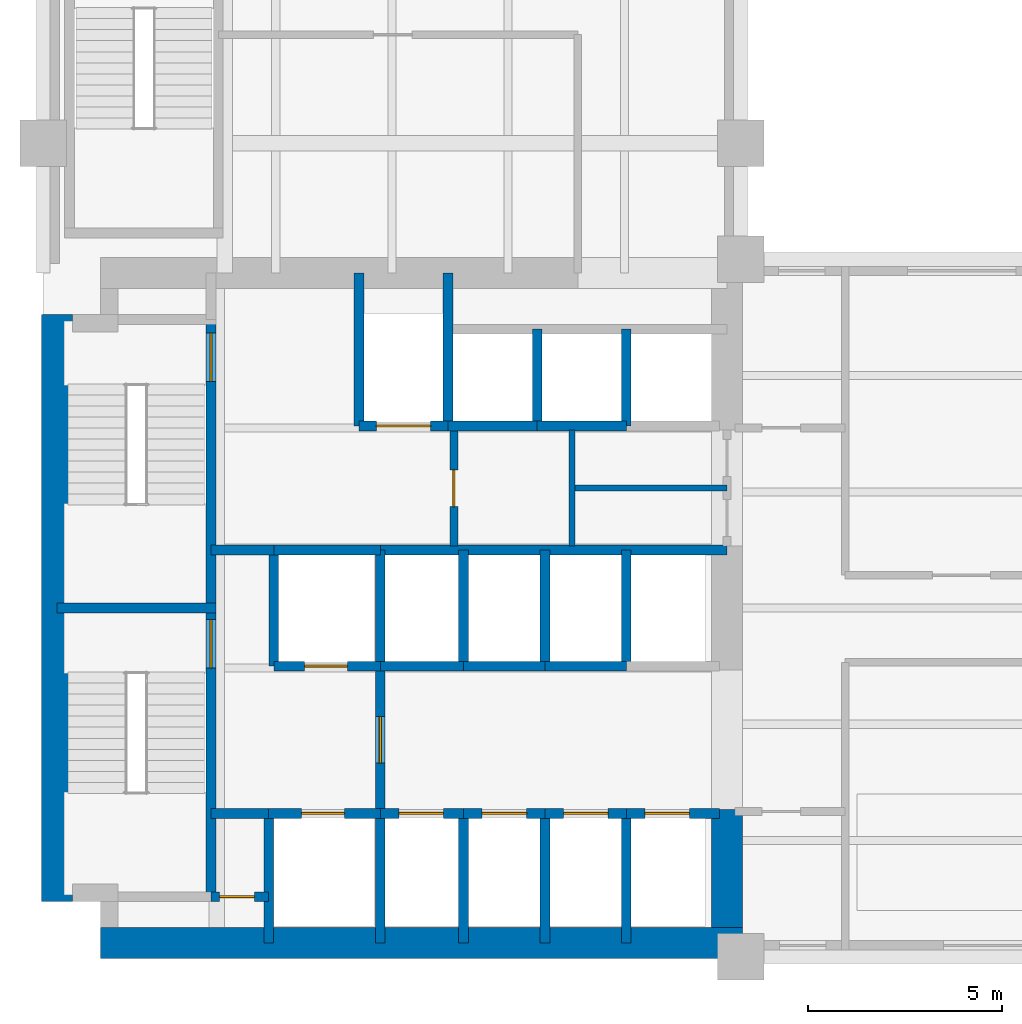
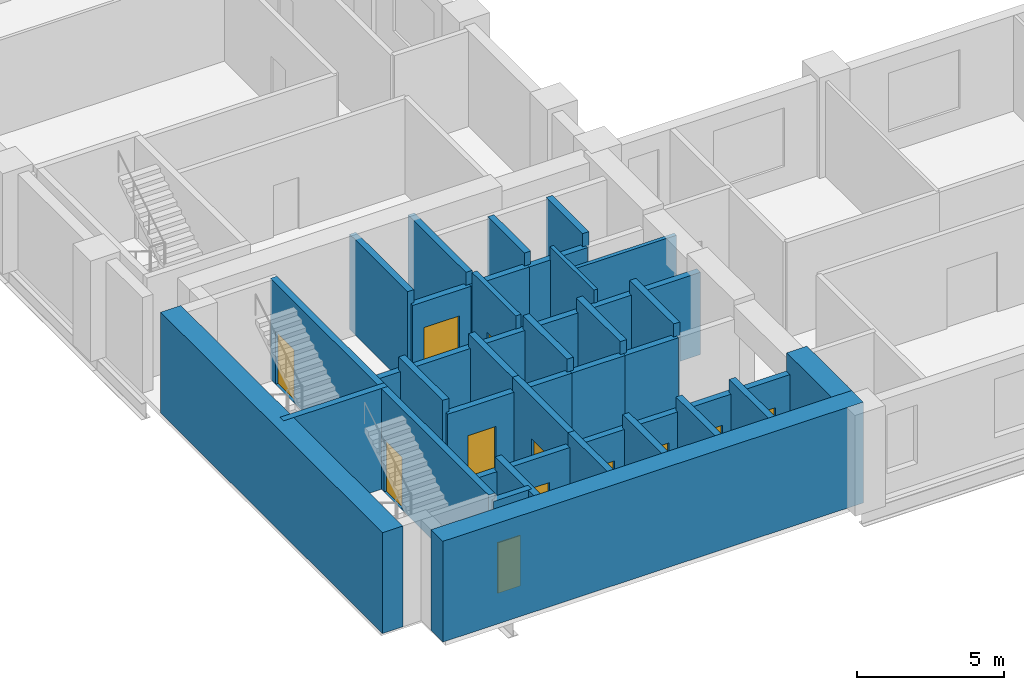
# One storey, part 3 of 7: 41 walls, 12 doors, 12 openings.
"""IFC4 building model written with IfcOpenShell, lengths in metres."""

import ifcopenshell
import ifcopenshell.guid

model = None  # the IFC model being written
_history = None  # IfcOwnerHistory: only IFC2X3 demands one
_inside = {}  # id of a spatial element -> (the spatial element, [elements in it])
_under = {}  # id of a project, library or spatial element -> (it, [spatial elements below it])
_declared = {}  # id of a project -> (the project, [libraries it declares])
_typed = {}  # id of a type object -> (the type object, [elements of that type])
_made_of = {}  # id of a material, layer set ... -> (it, [elements and type objects made of it])


def new_model(schema):
    """Start an empty IFC model of exactly this schema.

    Asked for "IFC4X3", IfcOpenShell would pick the latest addendum, in which some entities
    have other attributes; the version numbers below select the first issue.
    IFC2X3 requires an IfcOwnerHistory on every rooted entity: one is made here for all.
    """
    global model, _history
    if schema == "IFC4X3":
        model = ifcopenshell.file(schema_version=(4, 3, 0, 0))
    else:
        model = ifcopenshell.file(schema=schema)
    _inside.clear()
    _under.clear()
    _declared.clear()
    _typed.clear()
    _made_of.clear()
    _history = None
    if model.schema == "IFC2X3":
        org = make("IfcOrganization", Name="unknown")
        user = make(
            "IfcPersonAndOrganization",
            ThePerson=make("IfcPerson", FamilyName="unknown"),
            TheOrganization=org,
        )
        app = make(
            "IfcApplication",
            ApplicationDeveloper=org,
            Version="unknown",
            ApplicationFullName="unknown",
            ApplicationIdentifier="unknown",
        )
        _history = make(
            "IfcOwnerHistory",
            OwningUser=user,
            OwningApplication=app,
            ChangeAction="ADDED",
            CreationDate=0,
        )
    return model


def make(cls, **values):
    """One entity of the class cls with the attributes given. An attribute that is None is left unset."""
    return model.create_entity(
        cls, **{name: value for name, value in values.items() if value is not None}
    )


def rooted(cls, **values):
    """An entity with a GlobalId (a new one), such as an element, a storey or a relation."""
    return make(cls, GlobalId=ifcopenshell.guid.new(), OwnerHistory=_history, **values)


def si_unit(unit_type, name, prefix=None):
    """IfcSIUnit, for example si_unit("LENGTHUNIT", "METRE", prefix="MILLI")."""
    return make("IfcSIUnit", UnitType=unit_type, Prefix=prefix, Name=name)


def assignment(units):
    """IfcUnitAssignment: the units of a project."""
    return None if units is None else make("IfcUnitAssignment", Units=units)


def point(xyz):
    """IfcCartesianPoint."""
    return None if xyz is None else make("IfcCartesianPoint", Coordinates=xyz)


def direction(xyz):
    """IfcDirection."""
    return None if xyz is None else make("IfcDirection", DirectionRatios=xyz)


def frame(location, z_axis=None, x_axis=None):
    """IfcAxis2Placement3D, a coordinate frame: its origin and axes. An axis left out is left unset."""
    return make(
        "IfcAxis2Placement3D",
        Location=point(location),
        Axis=direction(z_axis),
        RefDirection=direction(x_axis),
    )


def frame_2d(location, x_axis=None):
    """IfcAxis2Placement2D, a coordinate frame in the plane: its origin and x axis."""
    return make(
        "IfcAxis2Placement2D", Location=point(location), RefDirection=direction(x_axis)
    )


def origin():
    """The frame at (0, 0, 0) with its axes left unset."""
    return frame((0.0, 0.0, 0.0))


def place(relative_to, where):
    """IfcLocalPlacement: puts the frame where relative to a parent placement (None: the world)."""
    return make(
        "IfcLocalPlacement", PlacementRelTo=relative_to, RelativePlacement=where
    )


def context(
    kind, dimensions, precision=None, world=None, true_north=None, identifier=None
):
    """IfcGeometricRepresentationContext, for example the 3D "Model" context."""
    return make(
        "IfcGeometricRepresentationContext",
        ContextIdentifier=identifier,
        ContextType=kind,
        CoordinateSpaceDimension=dimensions,
        Precision=precision,
        WorldCoordinateSystem=world,
        TrueNorth=true_north,
    )


def subcontext(parent, identifier, kind, view, scale=None):
    """IfcGeometricRepresentationSubContext, for example "Body" below "Model"."""
    return make(
        "IfcGeometricRepresentationSubContext",
        ContextIdentifier=identifier,
        ContextType=kind,
        ParentContext=parent,
        TargetScale=scale,
        TargetView=view,
    )


def project(units=None, contexts=None):
    """IfcProject with its units and contexts."""
    return rooted(
        "IfcProject",
        Name="project",
        RepresentationContexts=contexts,
        UnitsInContext=assignment(units),
    )


def spatial(cls, under=None, at=None, **own):
    """A site, building, storey or space (cls), placed at a placement, below another one or the project."""
    s = rooted(cls, ObjectPlacement=at, **own)
    if under is not None:
        _under.setdefault(under.id(), (under, []))[1].append(s)
    return s


def profile(cls, at=None, kind="AREA", **sizes):
    """A parametric profile (cls). Its sizes go by their IFC names, for example OverallWidth=200.0."""
    return make(cls, ProfileType=kind, Position=at, **sizes)


def rectangle(**sizes):
    """IfcRectangleProfileDef."""
    return profile("IfcRectangleProfileDef", **sizes)


def extrude(swept, where, along, depth):
    """IfcExtrudedAreaSolid: the profile swept, set in the frame where, extruded along a direction by depth."""
    return make(
        "IfcExtrudedAreaSolid",
        SweptArea=swept,
        Position=where,
        ExtrudedDirection=direction(along),
        Depth=depth,
    )


def shape(context_of_items, identifier, shape_type, items):
    """IfcShapeRepresentation: the items that make up one representation, for example the "Body"."""
    return make(
        "IfcShapeRepresentation",
        ContextOfItems=context_of_items,
        RepresentationIdentifier=identifier,
        RepresentationType=shape_type,
        Items=items,
    )


def material(Name=None, Category=None):
    """IfcMaterial."""
    return make("IfcMaterial", Name=Name, Category=Category)


def layer(
    of_material, thickness, ventilated=None, Name=None, Category=None, Priority=None
):
    """IfcMaterialLayer: one layer of a wall or slab, of a material (None: an air gap)."""
    return make(
        "IfcMaterialLayer",
        Material=of_material,
        LayerThickness=thickness,
        IsVentilated=ventilated,
        Name=Name,
        Category=Category,
        Priority=Priority,
    )


def layer_set(layers, Name=None):
    """IfcMaterialLayerSet."""
    return make("IfcMaterialLayerSet", MaterialLayers=layers, LayerSetName=Name)


def made_of(thing, what):
    """Note that an element or type object is made of a material, layer set ...; save() writes the relation."""
    if what is not None:
        _made_of.setdefault(what.id(), (what, []))[1].append(thing)
    return thing


def type_object(cls, material=None, **own):
    """A type object (cls), such as IfcWallType, which elements share."""
    return made_of(rooted(cls, **own), material)


def element(
    cls,
    number,
    at=None,
    inside=None,
    cuts=None,
    type_object=None,
    material=None,
    context=None,
    identifier="Body",
    shape_type=None,
    held_by="IfcProductDefinitionShape",
    body=None,
    shapes=None,
    **own,
):
    """One element of the class cls, such as IfcWall. Its Tag is "e" and its number.

    at: its placement. inside: the storey or other place that contains it. cuts: it is an
    opening in that element (IfcRelVoidsElement). A single representation is given by context,
    identifier, shape_type and body (its items); several are given by shapes. held_by: the class
    of the entity that holds the representations. save() writes the other relations.
    """
    e = rooted(cls, Tag="e%d" % number, ObjectPlacement=at, **own)
    if body is not None:
        shapes = [shape(context, identifier, shape_type, body)]
    if shapes is not None:
        e.Representation = make(held_by, Representations=shapes)
    if inside is not None:
        _inside.setdefault(inside.id(), (inside, []))[1].append(e)
    if cuts is not None:
        rooted(
            "IfcRelVoidsElement", RelatingBuildingElement=cuts, RelatedOpeningElement=e
        )
    if type_object is not None:
        _typed.setdefault(type_object.id(), (type_object, []))[1].append(e)
    return made_of(e, material)


def fill(opening, filler):
    """IfcRelFillsElement: the door or window that sits in an opening."""
    return rooted(
        "IfcRelFillsElement",
        RelatingOpeningElement=opening,
        RelatedBuildingElement=filler,
    )


def aggregate(whole, parts):
    """IfcRelAggregates: a whole, such as a stair, and the parts it consists of."""
    return rooted("IfcRelAggregates", RelatingObject=whole, RelatedObjects=parts)


def save(model, path):
    """Write the relations noted so far, then the file.

    IfcRelAggregates (storeys below a building ...), IfcRelContainedInSpatialStructure (elements
    in a storey), IfcRelDefinesByType, IfcRelAssociatesMaterial and IfcRelDeclares: one each for
    every whole, place, type object, material and project.
    """
    for whole, parts in _under.values():
        aggregate(whole, parts)
    for where, things in _inside.values():
        rooted(
            "IfcRelContainedInSpatialStructure",
            RelatedElements=things,
            RelatingStructure=where,
        )
    for kind, things in _typed.values():
        rooted("IfcRelDefinesByType", RelatedObjects=things, RelatingType=kind)
    for what, things in _made_of.values():
        rooted("IfcRelAssociatesMaterial", RelatedObjects=things, RelatingMaterial=what)
    for by, libraries in _declared.values():
        rooted("IfcRelDeclares", RelatingContext=by, RelatedDefinitions=libraries)
    model.write(path)


model = new_model("IFC4")

# Units and contexts
model_context = context("Model", 3, precision=1e-05, world=origin(), true_north=direction((0.0, 1.0)))
body_context = subcontext(model_context, "Body", "Model", "MODEL_VIEW")
ifc_project = project(units=[si_unit("LENGTHUNIT", "METRE"), si_unit("AREAUNIT", "SQUARE_METRE"), si_unit("VOLUMEUNIT", "CUBIC_METRE"), si_unit("PLANEANGLEUNIT", "RADIAN"), si_unit("MASSUNIT", "GRAM", prefix="KILO")], contexts=[model_context])

# Site, building, storey
site_placement = place(None, origin())
site = spatial("IfcSite", under=ifc_project, at=site_placement, CompositionType="ELEMENT")
building_placement = place(site_placement, origin())
building = spatial("IfcBuilding", under=site, at=building_placement, Name="Mawjdan Bourse Tower", CompositionType="ELEMENT")
storey_placement = place(building_placement, frame((0.0, 0.0, 55.199951171875)))
storey = spatial("IfcBuildingStorey", under=building, at=storey_placement, Name="L12", CompositionType="ELEMENT", Elevation=55.199951171875)

# Wall, opening, door
ifc_material_1 = material(Name="Gypsum Fireboard Assembly")
ifc_layer_1 = layer(ifc_material_1, 0.199951171875)
ifc_layer_set_1 = layer_set([ifc_layer_1], Name="Gypsum Fireboard Assembly")
wall_type_1 = type_object("IfcWallType", Name="WL-CMP-200", PredefinedType="PARTITIONING", material=ifc_layer_set_1)
wall_1_placement = place(storey_placement, frame((16.60009765625, 13.60009765625, 0.0), z_axis=(0.0, 0.0, 1.0), x_axis=(0.0, 1.0, 0.0)))
wall_1 = element("IfcWall", 1, at=wall_1_placement, inside=storey, type_object=wall_type_1, Name="L12 Core Restroom West Wall", PredefinedType="PARTITIONING", context=body_context, shape_type="SweptSolid", body=[
    extrude(rectangle(XDim=3.0, YDim=0.199951171875, at=frame_2d((1.5, 0.0))), origin(), (0.0, 0.0, 1.0), 3.969970703125),
])
opening_1_placement = place(wall_1_placement, frame((1.02001953125, 0.0, 0.0)))
opening_1 = element("IfcOpeningElement", 2, at=opening_1_placement, cuts=wall_1, Name="Opening D-L12-14", PredefinedType="OPENING", context=body_context, shape_type="SweptSolid", body=[
    extrude(rectangle(XDim=0.949951171875, YDim=2.10009765625, at=frame_2d((0.47509765625, 1.050048828125))), frame((0.0, 0.10986328125, 0.0), z_axis=(0.0, -1.0, 0.0), x_axis=(1.0, 0.0, 0.0)), (0.0, 0.0, 1.0), 0.219970703125),
])
ifc_material_2 = material(Name="Moisture-Resistant Laminate Timber", Category="wood")
door_type_1 = type_object("IfcDoorType", Name="DR-WET-0950", OperationType="NOTDEFINED", PredefinedType="DOOR", material=ifc_material_2)
door_1_placement = place(opening_1_placement, origin())
door_1 = element("IfcDoor", 3, at=door_1_placement, inside=storey, type_object=door_type_1, Name="L12 Male Restroom Entry Door D-L12-14", OperationType="SINGLE_SWING_LEFT", OverallHeight=2.10009765625, OverallWidth=0.949951171875, PredefinedType="DOOR", context=body_context, shape_type="SweptSolid", body=[
    extrude(rectangle(XDim=0.949951171875, YDim=2.10009765625, at=frame_2d((0.47509765625, 1.050048828125))), frame((0.0, 0.02490234375, 0.0), z_axis=(0.0, -1.0, 0.0), x_axis=(1.0, 0.0, 0.0)), (0.0, 0.0, 1.0), 0.050048828125),
])
fill(opening_1, door_1)

# Walls
ifc_material_3 = material(Name="Concrete C80/95", Category="concrete")
ifc_layer_2 = layer(ifc_material_3, 0.800048828125)
ifc_layer_set_2 = layer_set([ifc_layer_2], Name="Concrete C80/95")
wall_type_2 = type_object("IfcWallType", Name="WL-CORE-800", PredefinedType="SHEAR", material=ifc_layer_set_2)
wall_2_placement = place(storey_placement, frame((7.47509765625, 3.35009765625, 0.0), z_axis=(0.0, 0.0, 1.0), x_axis=(1.0, 0.0, 0.0)))
element("IfcWall", 4, at=wall_2_placement, inside=storey, type_object=wall_type_2, Name="L12 Rear Core Shear Wall S", PredefinedType="SHEAR", context=body_context, shape_type="SweptSolid", body=[
    extrude(rectangle(XDim=16.574951171875, YDim=0.800048828125, at=frame_2d((8.28759765625, 0.0))), origin(), (0.0, 0.0, 1.0), 4.199951171875),
])
wall_3_placement = place(storey_placement, frame((6.35009765625, 4.425048828125, 0.0), z_axis=(0.0, 0.0, 1.0), x_axis=(0.0, 1.0, 0.0)))
element("IfcWall", 5, at=wall_3_placement, inside=storey, type_object=wall_type_2, Name="L12 Rear Core Shear Wall W", PredefinedType="SHEAR", context=body_context, shape_type="SweptSolid", body=[
    extrude(rectangle(XDim=15.14990234375, YDim=0.800048828125, at=frame_2d((7.574951171875, 0.0))), origin(), (0.0, 0.0, 1.0), 4.199951171875),
])
wall_4_placement = place(storey_placement, frame((23.64990234375, 3.75, 0.0), z_axis=(0.0, 0.0, 1.0), x_axis=(0.0, 1.0, 0.0)))
element("IfcWall", 6, at=wall_4_placement, inside=storey, type_object=wall_type_2, Name="L12 Rear Core Shear Wall E1", PredefinedType="SHEAR", context=body_context, shape_type="SweptSolid", body=[
    extrude(rectangle(XDim=3.050048828125, YDim=0.800048828125, at=frame_2d((1.52490234375, 0.0))), origin(), (0.0, 0.0, 1.0), 4.199951171875),
])
ifc_material_4 = material(Name="Gypsum Acoustic Partition")
ifc_layer_3 = layer(ifc_material_4, 0.14990234375)
ifc_layer_set_3 = layer_set([ifc_layer_3], Name="Gypsum Acoustic Partition")
wall_type_3 = type_object("IfcWallType", Name="WL-PRT-150", PredefinedType="PARTITIONING", material=ifc_layer_set_3)
wall_5_placement = place(storey_placement, frame((19.64990234375, 13.60009765625, 0.0), z_axis=(0.0, 0.0, 1.0), x_axis=(0.0, 1.0, 0.0)))
element("IfcWall", 7, at=wall_5_placement, inside=storey, type_object=wall_type_3, Name="L12 Core Restroom Vertical Split", PredefinedType="PARTITIONING", context=body_context, shape_type="SweptSolid", body=[
    extrude(rectangle(XDim=3.0, YDim=0.14990234375, at=frame_2d((1.5, 0.0))), origin(), (0.0, 0.0, 1.0), 3.969970703125),
])
wall_6_placement = place(storey_placement, frame((19.64990234375, 15.10009765625, 0.0), z_axis=(0.0, 0.0, 1.0), x_axis=(1.0, 0.0, 0.0)))
element("IfcWall", 8, at=wall_6_placement, inside=storey, type_object=wall_type_3, Name="L12 Core Restroom East Horizontal Split", PredefinedType="PARTITIONING", context=body_context, shape_type="SweptSolid", body=[
    extrude(rectangle(XDim=4.0, YDim=0.14990234375, at=frame_2d((2.0, 0.0))), origin(), (0.0, 0.0, 1.0), 3.969970703125),
])

# Wall, opening, door
ifc_material_5 = material(Name="Concrete C50/60", Category="concrete")
ifc_layer_4 = layer(ifc_material_5, 0.25)
ifc_layer_set_4 = layer_set([ifc_layer_4], Name="Concrete C50/60")
wall_type_4 = type_object("IfcWallType", Name="WL-SHFT-250", PredefinedType="PARTITIONING", material=ifc_layer_set_4)
wall_7_placement = place(storey_placement, frame((10.330078125, 4.550048828125, 0.0), z_axis=(0.0, 0.0, 1.0), x_axis=(1.0, 0.0, 0.0)))
wall_7 = element("IfcWall", 9, at=wall_7_placement, inside=storey, type_object=wall_type_4, Name="L12 SW Riser North Wall", PredefinedType="PARTITIONING", context=body_context, shape_type="SweptSolid", body=[
    extrude(rectangle(XDim=1.489990234375, YDim=0.25, at=frame_2d((0.7451171875, 0.0))), origin(), (0.0, 0.0, 1.0), 3.969970703125),
])
opening_2_placement = place(wall_7_placement, frame((0.219970703125, 0.0, 0.0)))
opening_2 = element("IfcOpeningElement", 10, at=opening_2_placement, cuts=wall_7, Name="Opening RD-L12-03", PredefinedType="OPENING", context=body_context, shape_type="SweptSolid", body=[
    extrude(rectangle(XDim=0.89990234375, YDim=2.10009765625, at=frame_2d((0.449951171875, 1.050048828125))), frame((0.0, 0.135009765625, 0.0), z_axis=(0.0, -1.0, 0.0), x_axis=(1.0, 0.0, 0.0)), (0.0, 0.0, 1.0), 0.27001953125),
])
ifc_material_6 = material(Name="Fire-Rated Steel Access Leaf", Category="steel")
door_type_2 = type_object("IfcDoorType", Name="FD-RSR-0900", OperationType="NOTDEFINED", PredefinedType="TRAPDOOR", material=ifc_material_6)
door_2_placement = place(opening_2_placement, origin())
door_2 = element("IfcDoor", 11, at=door_2_placement, inside=storey, type_object=door_type_2, Name="L12 Electrical Riser Access Door RD-L12-03", OperationType="SINGLE_SWING_LEFT", OverallHeight=2.10009765625, OverallWidth=0.89990234375, PredefinedType="TRAPDOOR", context=body_context, shape_type="SweptSolid", body=[
    extrude(rectangle(XDim=0.89990234375, YDim=2.10009765625, at=frame_2d((0.449951171875, 1.050048828125))), frame((0.0, 0.02490234375, 0.0), z_axis=(0.0, -1.0, 0.0), x_axis=(1.0, 0.0, 0.0)), (0.0, 0.0, 1.0), 0.050048828125),
])
fill(opening_2, door_2)

# Wall
wall_8_placement = place(storey_placement, frame((11.820068359375, 3.35009765625, 0.0), z_axis=(0.0, 0.0, 1.0), x_axis=(0.0, 1.0, 0.0)))
element("IfcWall", 12, at=wall_8_placement, inside=storey, type_object=wall_type_4, Name="L12 SW Riser & FFL01 West Wall", PredefinedType="PARTITIONING", context=body_context, shape_type="SweptSolid", body=[
    extrude(rectangle(XDim=3.349853515625, YDim=0.25, at=frame_2d((1.6748046875, 0.0))), origin(), (0.0, 0.0, 1.0), 3.969970703125),
])

# Wall, opening, door
wall_9_placement = place(storey_placement, frame((11.820068359375, 6.699951171875, 0.0), z_axis=(0.0, 0.0, 1.0), x_axis=(1.0, 0.0, 0.0)))
wall_9 = element("IfcWall", 13, at=wall_9_placement, inside=storey, type_object=wall_type_4, Name="L12 FFL-01 Front Shaft Wall", PredefinedType="PARTITIONING", context=body_context, shape_type="SweptSolid", body=[
    extrude(rectangle(XDim=2.8798828125, YDim=0.25, at=frame_2d((1.43994140625, 0.0))), origin(), (0.0, 0.0, 1.0), 3.426025390625),
])
opening_3_placement = place(wall_9_placement, frame((0.85009765625, 0.0, 0.0)))
opening_3 = element("IfcOpeningElement", 14, at=opening_3_placement, cuts=wall_9, Name="Opening LD-L12-05", PredefinedType="OPENING", context=body_context, shape_type="SweptSolid", body=[
    extrude(rectangle(XDim=1.10009765625, YDim=2.25, at=frame_2d((0.550048828125, 1.125))), frame((0.0, 0.135009765625, 0.0), z_axis=(0.0, -1.0, 0.0), x_axis=(1.0, 0.0, 0.0)), (0.0, 0.0, 1.0), 0.27001953125),
])
ifc_material_7 = material(Name="Brushed Stainless Steel", Category="steel")
door_type_3 = type_object("IfcDoorType", Name="LD-FFL-1100", OperationType="DOUBLE_DOOR_SLIDING", PredefinedType="DOOR", material=ifc_material_7)
door_3_placement = place(opening_3_placement, origin())
door_3 = element("IfcDoor", 15, at=door_3_placement, inside=storey, type_object=door_type_3, Name="L12 Firefighting Lift FFL-01 Landing Door LD-L12-05", OperationType="DOUBLE_DOOR_SLIDING", OverallHeight=2.25, OverallWidth=1.10009765625, PredefinedType="DOOR", context=body_context, shape_type="SweptSolid", body=[
    extrude(rectangle(XDim=1.10009765625, YDim=2.25, at=frame_2d((0.550048828125, 1.125))), frame((0.0, 0.02490234375, 0.0), z_axis=(0.0, -1.0, 0.0), x_axis=(1.0, 0.0, 0.0)), (0.0, 0.0, 1.0), 0.050048828125),
])
fill(opening_3, door_3)

# Wall
wall_10_placement = place(storey_placement, frame((14.699951171875, 3.35009765625, 0.0), z_axis=(0.0, 0.0, 1.0), x_axis=(0.0, 1.0, 0.0)))
element("IfcWall", 16, at=wall_10_placement, inside=storey, type_object=wall_type_4, Name="L12 FFL-01 East Shaft Wall", PredefinedType="PARTITIONING", context=body_context, shape_type="SweptSolid", body=[
    extrude(rectangle(XDim=3.349853515625, YDim=0.25, at=frame_2d((1.6748046875, 0.0))), origin(), (0.0, 0.0, 1.0), 3.969970703125),
])

# Wall, opening, door
wall_11_placement = place(storey_placement, frame((11.949951171875, 10.5, 0.0), z_axis=(0.0, 0.0, 1.0), x_axis=(1.0, 0.0, 0.0)))
wall_11 = element("IfcWall", 17, at=wall_11_placement, inside=storey, type_object=wall_type_4, Name="L12 FFL-02 Front Shaft Wall", PredefinedType="PARTITIONING", context=body_context, shape_type="SweptSolid", body=[
    extrude(rectangle(XDim=2.75, YDim=0.25, at=frame_2d((1.375, 0.0))), origin(), (0.0, 0.0, 1.0), 3.426025390625),
])
opening_4_placement = place(wall_11_placement, frame((0.800048828125, 0.0, 0.0)))
opening_4 = element("IfcOpeningElement", 18, at=opening_4_placement, cuts=wall_11, Name="Opening LD-L12-06", PredefinedType="OPENING", context=body_context, shape_type="SweptSolid", body=[
    extrude(rectangle(XDim=1.10009765625, YDim=2.25, at=frame_2d((0.550048828125, 1.125))), frame((0.0, 0.135009765625, 0.0), z_axis=(0.0, -1.0, 0.0), x_axis=(1.0, 0.0, 0.0)), (0.0, 0.0, 1.0), 0.27001953125),
])
door_4_placement = place(opening_4_placement, origin())
door_4 = element("IfcDoor", 19, at=door_4_placement, inside=storey, type_object=door_type_3, Name="L12 Firefighting Lift FFL-02 Landing Door LD-L12-06", OperationType="DOUBLE_DOOR_SLIDING", OverallHeight=2.25, OverallWidth=1.10009765625, PredefinedType="DOOR", context=body_context, shape_type="SweptSolid", body=[
    extrude(rectangle(XDim=1.10009765625, YDim=2.25, at=frame_2d((0.550048828125, 1.125))), frame((0.0, 0.02490234375, 0.0), z_axis=(0.0, -1.0, 0.0), x_axis=(1.0, 0.0, 0.0)), (0.0, 0.0, 1.0), 0.050048828125),
])
fill(opening_4, door_4)

# Walls
wall_12_placement = place(storey_placement, frame((11.949951171875, 10.5, 0.0), z_axis=(0.0, 0.0, 1.0), x_axis=(0.0, 1.0, 0.0)))
element("IfcWall", 20, at=wall_12_placement, inside=storey, type_object=wall_type_4, Name="L12 FFL-02 West Shaft Wall", PredefinedType="PARTITIONING", context=body_context, shape_type="SweptSolid", body=[
    extrude(rectangle(XDim=3.0, YDim=0.25, at=frame_2d((1.5, 0.0))), origin(), (0.0, 0.0, 1.0), 3.969970703125),
])
wall_13_placement = place(storey_placement, frame((11.949951171875, 13.5, 0.0), z_axis=(0.0, 0.0, 1.0), x_axis=(1.0, 0.0, 0.0)))
element("IfcWall", 21, at=wall_13_placement, inside=storey, type_object=wall_type_4, Name="L12 FFL-02 North Shaft Wall", PredefinedType="PARTITIONING", context=body_context, shape_type="SweptSolid", body=[
    extrude(rectangle(XDim=2.75, YDim=0.25, at=frame_2d((1.375, 0.0))), origin(), (0.0, 0.0, 1.0), 3.426025390625),
])
wall_14_placement = place(storey_placement, frame((14.699951171875, 10.5, 0.0), z_axis=(0.0, 0.0, 1.0), x_axis=(0.0, 1.0, 0.0)))
element("IfcWall", 22, at=wall_14_placement, inside=storey, type_object=wall_type_4, Name="L12 FFL-02 East Shaft Wall", PredefinedType="PARTITIONING", context=body_context, shape_type="SweptSolid", body=[
    extrude(rectangle(XDim=3.0, YDim=0.25, at=frame_2d((1.5, 0.0))), origin(), (0.0, 0.0, 1.0), 3.969970703125),
])

# Wall, opening, door
wall_15_placement = place(storey_placement, frame((14.699951171875, 6.699951171875, 0.0), z_axis=(0.0, 0.0, 1.0), x_axis=(0.0, 1.0, 0.0)))
wall_15 = element("IfcWall", 23, at=wall_15_placement, inside=storey, type_object=wall_type_4, Name="L12 Firefighting Lobby East Compartment Wall", PredefinedType="PARTITIONING", context=body_context, shape_type="SweptSolid", body=[
    extrude(rectangle(XDim=3.800048828125, YDim=0.25, at=frame_2d((1.89990234375, 0.0))), origin(), (0.0, 0.0, 1.0), 3.969970703125),
])
opening_5_placement = place(wall_15_placement, frame((1.300048828125, 0.0, 0.0)))
opening_5 = element("IfcOpeningElement", 24, at=opening_5_placement, cuts=wall_15, Name="Opening FD-L12-07", PredefinedType="OPENING", context=body_context, shape_type="SweptSolid", body=[
    extrude(rectangle(XDim=1.199951171875, YDim=2.199951171875, at=frame_2d((0.60009765625, 1.10009765625))), frame((0.0, 0.135009765625, 0.0), z_axis=(0.0, -1.0, 0.0), x_axis=(1.0, 0.0, 0.0)), (0.0, 0.0, 1.0), 0.27001953125),
])
ifc_material_8 = material(Name="Fire-Rated Steel Leaf", Category="steel")
door_type_4 = type_object("IfcDoorType", Name="FD-FFL-1200", OperationType="NOTDEFINED", PredefinedType="DOOR", material=ifc_material_8)
door_5_placement = place(opening_5_placement, origin())
door_5 = element("IfcDoor", 25, at=door_5_placement, inside=storey, type_object=door_type_4, Name="L12 Firefighting Lobby East Smoke Door FD-L12-07", OperationType="SINGLE_SWING_LEFT", OverallHeight=2.199951171875, OverallWidth=1.199951171875, PredefinedType="DOOR", context=body_context, shape_type="SweptSolid", body=[
    extrude(rectangle(XDim=1.199951171875, YDim=2.199951171875, at=frame_2d((0.60009765625, 1.10009765625))), frame((0.0, 0.02490234375, 0.0), z_axis=(0.0, -1.0, 0.0), x_axis=(1.0, 0.0, 0.0)), (0.0, 0.0, 1.0), 0.050048828125),
])
fill(opening_5, door_5)

# Walls
wall_16_placement = place(storey_placement, frame((10.330078125, 13.5, 0.0), z_axis=(0.0, 0.0, 1.0), x_axis=(1.0, 0.0, 0.0)))
element("IfcWall", 26, at=wall_16_placement, inside=storey, type_object=wall_type_4, Name="L12 Firefighting Lobby North Compartment Wall", PredefinedType="PARTITIONING", context=body_context, shape_type="SweptSolid", body=[
    extrude(rectangle(XDim=1.619873046875, YDim=0.25, at=frame_2d((0.81005859375, 0.0))), origin(), (0.0, 0.0, 1.0), 3.426025390625),
])
wall_17_placement = place(storey_placement, frame((10.330078125, 6.699951171875, 0.0), z_axis=(0.0, 0.0, 1.0), x_axis=(1.0, 0.0, 0.0)))
element("IfcWall", 27, at=wall_17_placement, inside=storey, type_object=wall_type_4, Name="L12 Firefighting Lobby South Closure Wall", PredefinedType="PARTITIONING", context=body_context, shape_type="SweptSolid", body=[
    extrude(rectangle(XDim=1.489990234375, YDim=0.25, at=frame_2d((0.7451171875, 0.0))), origin(), (0.0, 0.0, 1.0), 3.426025390625),
])

# Wall, opening, door
wall_18_placement = place(storey_placement, frame((14.14990234375, 16.699951171875, 0.0), z_axis=(0.0, 0.0, 1.0), x_axis=(1.0, 0.0, 0.0)))
wall_18 = element("IfcWall", 28, at=wall_18_placement, inside=storey, type_object=wall_type_4, Name="L12 SVL-01 Front Shaft Wall", PredefinedType="PARTITIONING", context=body_context, shape_type="SweptSolid", body=[
    extrude(rectangle(XDim=2.300048828125, YDim=0.25, at=frame_2d((1.14990234375, 0.0))), origin(), (0.0, 0.0, 1.0), 3.426025390625),
])
opening_6_placement = place(wall_18_placement, frame((0.449951171875, 0.0, 0.0)))
opening_6 = element("IfcOpeningElement", 29, at=opening_6_placement, cuts=wall_18, Name="Opening LD-L12-09", PredefinedType="OPENING", context=body_context, shape_type="SweptSolid", body=[
    extrude(rectangle(XDim=1.39990234375, YDim=2.35009765625, at=frame_2d((0.699951171875, 1.175048828125))), frame((0.0, 0.135009765625, 0.0), z_axis=(0.0, -1.0, 0.0), x_axis=(1.0, 0.0, 0.0)), (0.0, 0.0, 1.0), 0.27001953125),
])
ifc_material_9 = material(Name="Heavy-Duty Stainless Steel", Category="steel")
door_type_5 = type_object("IfcDoorType", Name="LD-SRV-1400", OperationType="DOUBLE_DOOR_SLIDING", PredefinedType="DOOR", material=ifc_material_9)
door_6_placement = place(opening_6_placement, origin())
door_6 = element("IfcDoor", 30, at=door_6_placement, inside=storey, type_object=door_type_5, Name="L12 Service Lift SVL-01 Landing Door LD-L12-09", OperationType="DOUBLE_DOOR_SLIDING", OverallHeight=2.35009765625, OverallWidth=1.39990234375, PredefinedType="DOOR", context=body_context, shape_type="SweptSolid", body=[
    extrude(rectangle(XDim=1.39990234375, YDim=2.35009765625, at=frame_2d((0.699951171875, 1.175048828125))), frame((0.0, 0.02490234375, 0.0), z_axis=(0.0, -1.0, 0.0), x_axis=(1.0, 0.0, 0.0)), (0.0, 0.0, 1.0), 0.050048828125),
])
fill(opening_6, door_6)

# Walls
for number, where, z_axis, x_axis, name in (
    (31, (14.14990234375, 16.699951171875, 0.0), (0.0, 0.0, 1.0), (0.0, 1.0, 0.0), "L12 SVL-01 West Shaft Wall"),
    (32, (16.449951171875, 16.699951171875, 0.0), (0.0, 0.0, 1.0), (0.0, 1.0, 0.0), "L12 SVL-01 East Shaft Wall"),
):
    element("IfcWall", number, at=place(storey_placement, frame(where, z_axis=z_axis, x_axis=x_axis)), inside=storey, type_object=wall_type_4, Name=name, PredefinedType="PARTITIONING", context=body_context, shape_type="SweptSolid", body=[
        extrude(rectangle(XDim=3.949951171875, YDim=0.25, at=frame_2d((1.97509765625, 0.0))), origin(), (0.0, 0.0, 1.0), 3.969970703125),
    ])
wall_19_placement = place(storey_placement, frame((16.449951171875, 16.699951171875, 0.0), z_axis=(0.0, 0.0, 1.0), x_axis=(1.0, 0.0, 0.0)))
element("IfcWall", 33, at=wall_19_placement, inside=storey, type_object=wall_type_4, Name="L12 PH-01 Front Wall", PredefinedType="PARTITIONING", context=body_context, shape_type="SweptSolid", body=[
    extrude(rectangle(XDim=2.300048828125, YDim=0.25, at=frame_2d((1.14990234375, 0.0))), origin(), (0.0, 0.0, 1.0), 3.426025390625),
])
wall_20_placement = place(storey_placement, frame((18.75, 16.699951171875, 0.0), z_axis=(0.0, 0.0, 1.0), x_axis=(0.0, 1.0, 0.0)))
element("IfcWall", 34, at=wall_20_placement, inside=storey, type_object=wall_type_4, Name="L12 PH-01 Divider Wall", PredefinedType="PARTITIONING", context=body_context, shape_type="SweptSolid", body=[
    extrude(rectangle(XDim=2.5, YDim=0.25, at=frame_2d((1.25, 0.0))), origin(), (0.0, 0.0, 1.0), 3.969970703125),
])
wall_21_placement = place(storey_placement, frame((18.75, 16.699951171875, 0.0), z_axis=(0.0, 0.0, 1.0), x_axis=(1.0, 0.0, 0.0)))
element("IfcWall", 35, at=wall_21_placement, inside=storey, type_object=wall_type_4, Name="L12 PH-02 Front Wall", PredefinedType="PARTITIONING", context=body_context, shape_type="SweptSolid", body=[
    extrude(rectangle(XDim=2.300048828125, YDim=0.25, at=frame_2d((1.14990234375, 0.0))), origin(), (0.0, 0.0, 1.0), 3.426025390625),
])
wall_22_placement = place(storey_placement, frame((21.050048828125, 16.699951171875, 0.0), z_axis=(0.0, 0.0, 1.0), x_axis=(0.0, 1.0, 0.0)))
element("IfcWall", 36, at=wall_22_placement, inside=storey, type_object=wall_type_4, Name="L12 PH-02 Divider Wall", PredefinedType="PARTITIONING", context=body_context, shape_type="SweptSolid", body=[
    extrude(rectangle(XDim=2.5, YDim=0.25, at=frame_2d((1.25, 0.0))), origin(), (0.0, 0.0, 1.0), 3.969970703125),
])

# Wall, opening, door
wall_23_placement = place(storey_placement, frame((14.699951171875, 6.699951171875, 0.0), z_axis=(0.0, 0.0, 1.0), x_axis=(1.0, 0.0, 0.0)))
wall_23 = element("IfcWall", 37, at=wall_23_placement, inside=storey, type_object=wall_type_4, Name="L12 PL-04 Front Wall", PredefinedType="PARTITIONING", context=body_context, shape_type="SweptSolid", body=[
    extrude(rectangle(XDim=2.150146484375, YDim=0.25, at=frame_2d((1.0751953125, 0.0))), origin(), (0.0, 0.0, 1.0), 3.426025390625),
])
opening_7_placement = place(wall_23_placement, frame((0.47998046875, 0.0, 0.0)))
opening_7 = element("IfcOpeningElement", 38, at=opening_7_placement, cuts=wall_23, Name="Opening LD-L12-10", PredefinedType="OPENING", context=body_context, shape_type="SweptSolid", body=[
    extrude(rectangle(XDim=1.14990234375, YDim=2.25, at=frame_2d((0.574951171875, 1.125))), frame((0.0, 0.135009765625, 0.0), z_axis=(0.0, -1.0, 0.0), x_axis=(1.0, 0.0, 0.0)), (0.0, 0.0, 1.0), 0.27001953125),
])
door_type_6 = type_object("IfcDoorType", Name="LD-PAS-1150", OperationType="DOUBLE_DOOR_SLIDING", PredefinedType="DOOR", material=ifc_material_7)
door_7_placement = place(opening_7_placement, origin())
door_7 = element("IfcDoor", 39, at=door_7_placement, inside=storey, type_object=door_type_6, Name="L12 Lift PL-04 Landing Door LD-L12-10", OperationType="DOUBLE_DOOR_SLIDING", OverallHeight=2.25, OverallWidth=1.14990234375, PredefinedType="DOOR", context=body_context, shape_type="SweptSolid", body=[
    extrude(rectangle(XDim=1.14990234375, YDim=2.25, at=frame_2d((0.574951171875, 1.125))), frame((0.0, 0.02490234375, 0.0), z_axis=(0.0, -1.0, 0.0), x_axis=(1.0, 0.0, 0.0)), (0.0, 0.0, 1.0), 0.050048828125),
])
fill(opening_7, door_7)

# Wall
wall_24_placement = place(storey_placement, frame((16.85009765625, 3.35009765625, 0.0), z_axis=(0.0, 0.0, 1.0), x_axis=(0.0, 1.0, 0.0)))
element("IfcWall", 40, at=wall_24_placement, inside=storey, type_object=wall_type_4, Name="L12 PL-04 Divider Wall", PredefinedType="PARTITIONING", context=body_context, shape_type="SweptSolid", body=[
    extrude(rectangle(XDim=3.349853515625, YDim=0.25, at=frame_2d((1.6748046875, 0.0))), origin(), (0.0, 0.0, 1.0), 3.969970703125),
])

# Wall, opening, door
wall_25_placement = place(storey_placement, frame((16.85009765625, 6.699951171875, 0.0), z_axis=(0.0, 0.0, 1.0), x_axis=(1.0, 0.0, 0.0)))
wall_25 = element("IfcWall", 41, at=wall_25_placement, inside=storey, type_object=wall_type_4, Name="L12 PL-01 Front Wall", PredefinedType="PARTITIONING", context=body_context, shape_type="SweptSolid", body=[
    extrude(rectangle(XDim=2.099853515625, YDim=0.25, at=frame_2d((1.0498046875, 0.0))), origin(), (0.0, 0.0, 1.0), 3.426025390625),
])
opening_8_placement = place(wall_25_placement, frame((0.47998046875, 0.0, 0.0)))
opening_8 = element("IfcOpeningElement", 42, at=opening_8_placement, cuts=wall_25, Name="Opening LD-L12-11", PredefinedType="OPENING", context=body_context, shape_type="SweptSolid", body=[
    extrude(rectangle(XDim=1.14990234375, YDim=2.25, at=frame_2d((0.574951171875, 1.125))), frame((0.0, 0.135009765625, 0.0), z_axis=(0.0, -1.0, 0.0), x_axis=(1.0, 0.0, 0.0)), (0.0, 0.0, 1.0), 0.27001953125),
])
door_8_placement = place(opening_8_placement, origin())
door_8 = element("IfcDoor", 43, at=door_8_placement, inside=storey, type_object=door_type_6, Name="L12 Lift PL-01 Landing Door LD-L12-11", OperationType="DOUBLE_DOOR_SLIDING", OverallHeight=2.25, OverallWidth=1.14990234375, PredefinedType="DOOR", context=body_context, shape_type="SweptSolid", body=[
    extrude(rectangle(XDim=1.14990234375, YDim=2.25, at=frame_2d((0.574951171875, 1.125))), frame((0.0, 0.02490234375, 0.0), z_axis=(0.0, -1.0, 0.0), x_axis=(1.0, 0.0, 0.0)), (0.0, 0.0, 1.0), 0.050048828125),
])
fill(opening_8, door_8)

# Wall
wall_26_placement = place(storey_placement, frame((18.949951171875, 3.35009765625, 0.0), z_axis=(0.0, 0.0, 1.0), x_axis=(0.0, 1.0, 0.0)))
element("IfcWall", 44, at=wall_26_placement, inside=storey, type_object=wall_type_4, Name="L12 PL-01 Divider Wall", PredefinedType="PARTITIONING", context=body_context, shape_type="SweptSolid", body=[
    extrude(rectangle(XDim=3.349853515625, YDim=0.25, at=frame_2d((1.6748046875, 0.0))), origin(), (0.0, 0.0, 1.0), 3.969970703125),
])

# Wall, opening, door
wall_27_placement = place(storey_placement, frame((18.949951171875, 6.699951171875, 0.0), z_axis=(0.0, 0.0, 1.0), x_axis=(1.0, 0.0, 0.0)))
wall_27 = element("IfcWall", 45, at=wall_27_placement, inside=storey, type_object=wall_type_4, Name="L12 PL-02 Front Wall", PredefinedType="PARTITIONING", context=body_context, shape_type="SweptSolid", body=[
    extrude(rectangle(XDim=2.10009765625, YDim=0.25, at=frame_2d((1.050048828125, 0.0))), origin(), (0.0, 0.0, 1.0), 3.426025390625),
])
opening_9_placement = place(wall_27_placement, frame((0.47998046875, 0.0, 0.0)))
opening_9 = element("IfcOpeningElement", 46, at=opening_9_placement, cuts=wall_27, Name="Opening LD-L12-12", PredefinedType="OPENING", context=body_context, shape_type="SweptSolid", body=[
    extrude(rectangle(XDim=1.14990234375, YDim=2.25, at=frame_2d((0.574951171875, 1.125))), frame((0.0, 0.135009765625, 0.0), z_axis=(0.0, -1.0, 0.0), x_axis=(1.0, 0.0, 0.0)), (0.0, 0.0, 1.0), 0.27001953125),
])
door_9_placement = place(opening_9_placement, origin())
door_9 = element("IfcDoor", 47, at=door_9_placement, inside=storey, type_object=door_type_6, Name="L12 Lift PL-02 Landing Door LD-L12-12", OperationType="DOUBLE_DOOR_SLIDING", OverallHeight=2.25, OverallWidth=1.14990234375, PredefinedType="DOOR", context=body_context, shape_type="SweptSolid", body=[
    extrude(rectangle(XDim=1.14990234375, YDim=2.25, at=frame_2d((0.574951171875, 1.125))), frame((0.0, 0.02490234375, 0.0), z_axis=(0.0, -1.0, 0.0), x_axis=(1.0, 0.0, 0.0)), (0.0, 0.0, 1.0), 0.050048828125),
])
fill(opening_9, door_9)

# Wall
wall_28_placement = place(storey_placement, frame((21.050048828125, 3.35009765625, 0.0), z_axis=(0.0, 0.0, 1.0), x_axis=(0.0, 1.0, 0.0)))
element("IfcWall", 48, at=wall_28_placement, inside=storey, type_object=wall_type_4, Name="L12 PL-02 Divider Wall", PredefinedType="PARTITIONING", context=body_context, shape_type="SweptSolid", body=[
    extrude(rectangle(XDim=3.349853515625, YDim=0.25, at=frame_2d((1.6748046875, 0.0))), origin(), (0.0, 0.0, 1.0), 3.969970703125),
])

# Wall, opening, door
wall_29_placement = place(storey_placement, frame((21.050048828125, 6.699951171875, 0.0), z_axis=(0.0, 0.0, 1.0), x_axis=(1.0, 0.0, 0.0)))
wall_29 = element("IfcWall", 49, at=wall_29_placement, inside=storey, type_object=wall_type_4, Name="L12 PL-03 Front Wall", PredefinedType="PARTITIONING", context=body_context, shape_type="SweptSolid", body=[
    extrude(rectangle(XDim=2.39990234375, YDim=0.25, at=frame_2d((1.199951171875, 0.0))), origin(), (0.0, 0.0, 1.0), 3.426025390625),
])
opening_10_placement = place(wall_29_placement, frame((0.47998046875, 0.0, 0.0)))
opening_10 = element("IfcOpeningElement", 50, at=opening_10_placement, cuts=wall_29, Name="Opening LD-L12-13", PredefinedType="OPENING", context=body_context, shape_type="SweptSolid", body=[
    extrude(rectangle(XDim=1.14990234375, YDim=2.25, at=frame_2d((0.574951171875, 1.125))), frame((0.0, 0.135009765625, 0.0), z_axis=(0.0, -1.0, 0.0), x_axis=(1.0, 0.0, 0.0)), (0.0, 0.0, 1.0), 0.27001953125),
])
door_10_placement = place(opening_10_placement, origin())
door_10 = element("IfcDoor", 51, at=door_10_placement, inside=storey, type_object=door_type_6, Name="L12 Lift PL-03 Landing Door LD-L12-13", OperationType="DOUBLE_DOOR_SLIDING", OverallHeight=2.25, OverallWidth=1.14990234375, PredefinedType="DOOR", context=body_context, shape_type="SweptSolid", body=[
    extrude(rectangle(XDim=1.14990234375, YDim=2.25, at=frame_2d((0.574951171875, 1.125))), frame((0.0, 0.02490234375, 0.0), z_axis=(0.0, -1.0, 0.0), x_axis=(1.0, 0.0, 0.0)), (0.0, 0.0, 1.0), 0.050048828125),
])
fill(opening_10, door_10)

# Walls
wall_30_placement = place(storey_placement, frame((14.699951171875, 10.5, 0.0), z_axis=(0.0, 0.0, 1.0), x_axis=(1.0, 0.0, 0.0)))
element("IfcWall", 52, at=wall_30_placement, inside=storey, type_object=wall_type_4, Name="L12 PM-01 Front Wall", PredefinedType="PARTITIONING", context=body_context, shape_type="SweptSolid", body=[
    extrude(rectangle(XDim=2.150146484375, YDim=0.25, at=frame_2d((1.0751953125, 0.0))), origin(), (0.0, 0.0, 1.0), 3.426025390625),
])
wall_31_placement = place(storey_placement, frame((16.85009765625, 10.5, 0.0), z_axis=(0.0, 0.0, 1.0), x_axis=(0.0, 1.0, 0.0)))
element("IfcWall", 53, at=wall_31_placement, inside=storey, type_object=wall_type_4, Name="L12 PM-01 Divider Wall", PredefinedType="PARTITIONING", context=body_context, shape_type="SweptSolid", body=[
    extrude(rectangle(XDim=3.0, YDim=0.25, at=frame_2d((1.5, 0.0))), origin(), (0.0, 0.0, 1.0), 3.969970703125),
])
wall_32_placement = place(storey_placement, frame((16.85009765625, 10.5, 0.0), z_axis=(0.0, 0.0, 1.0), x_axis=(1.0, 0.0, 0.0)))
element("IfcWall", 54, at=wall_32_placement, inside=storey, type_object=wall_type_4, Name="L12 PM-02 Front Wall", PredefinedType="PARTITIONING", context=body_context, shape_type="SweptSolid", body=[
    extrude(rectangle(XDim=2.099853515625, YDim=0.25, at=frame_2d((1.0498046875, 0.0))), origin(), (0.0, 0.0, 1.0), 3.426025390625),
])
wall_33_placement = place(storey_placement, frame((18.949951171875, 10.5, 0.0), z_axis=(0.0, 0.0, 1.0), x_axis=(0.0, 1.0, 0.0)))
element("IfcWall", 55, at=wall_33_placement, inside=storey, type_object=wall_type_4, Name="L12 PM-02 Divider Wall", PredefinedType="PARTITIONING", context=body_context, shape_type="SweptSolid", body=[
    extrude(rectangle(XDim=3.0, YDim=0.25, at=frame_2d((1.5, 0.0))), origin(), (0.0, 0.0, 1.0), 3.969970703125),
])
wall_34_placement = place(storey_placement, frame((18.949951171875, 10.5, 0.0), z_axis=(0.0, 0.0, 1.0), x_axis=(1.0, 0.0, 0.0)))
element("IfcWall", 56, at=wall_34_placement, inside=storey, type_object=wall_type_4, Name="L12 PM-03 Front Wall", PredefinedType="PARTITIONING", context=body_context, shape_type="SweptSolid", body=[
    extrude(rectangle(XDim=2.10009765625, YDim=0.25, at=frame_2d((1.050048828125, 0.0))), origin(), (0.0, 0.0, 1.0), 3.426025390625),
])
wall_35_placement = place(storey_placement, frame((21.050048828125, 10.5, 0.0), z_axis=(0.0, 0.0, 1.0), x_axis=(0.0, 1.0, 0.0)))
element("IfcWall", 57, at=wall_35_placement, inside=storey, type_object=wall_type_4, Name="L12 PM-03 Divider Wall", PredefinedType="PARTITIONING", context=body_context, shape_type="SweptSolid", body=[
    extrude(rectangle(XDim=3.0, YDim=0.25, at=frame_2d((1.5, 0.0))), origin(), (0.0, 0.0, 1.0), 3.969970703125),
])
wall_36_placement = place(storey_placement, frame((14.699951171875, 13.5, 0.0), z_axis=(0.0, 0.0, 1.0), x_axis=(1.0, 0.0, 0.0)))
element("IfcWall", 58, at=wall_36_placement, inside=storey, type_object=wall_type_4, Name="L12 PM Bank North Shaft Back Wall", PredefinedType="PARTITIONING", context=body_context, shape_type="SweptSolid", body=[
    extrude(rectangle(XDim=8.949951171875, YDim=0.25, at=frame_2d((4.47509765625, 0.0))), origin(), (0.0, 0.0, 1.0), 3.426025390625),
])
ifc_layer_5 = layer(ifc_material_5, 0.25)
ifc_layer_set_5 = layer_set([ifc_layer_5], Name="Concrete C50/60")
wall_type_5 = type_object("IfcWallType", Name="WL-STRW-250", PredefinedType="SHEAR", material=ifc_layer_set_5)
wall_37_placement = place(storey_placement, frame((6.35009765625, 12.0, 0.0), z_axis=(0.0, 0.0, 1.0), x_axis=(1.0, 0.0, 0.0)))
element("IfcWall", 59, at=wall_37_placement, inside=storey, type_object=wall_type_5, Name="L12 Stairwell Dividing Shaft Wall", PredefinedType="SHEAR", context=body_context, shape_type="SweptSolid", body=[
    extrude(rectangle(XDim=4.10498046875, YDim=0.25, at=frame_2d((2.052490234375, 0.0))), origin(), (0.0, 0.0, 1.0), 4.199951171875),
])

# Wall, opening, door
wall_38_placement = place(storey_placement, frame((10.330078125, 4.550048828125, 0.0), z_axis=(0.0, 0.0, 1.0), x_axis=(0.0, 1.0, 0.0)))
wall_38 = element("IfcWall", 60, at=wall_38_placement, inside=storey, type_object=wall_type_5, Name="L12 Stairwell ST1 East Enclosure Wall", PredefinedType="SHEAR", context=body_context, shape_type="SweptSolid", body=[
    extrude(rectangle(XDim=7.449951171875, YDim=0.25, at=frame_2d((3.72509765625, 0.0))), origin(), (0.0, 0.0, 1.0), 4.199951171875),
])
opening_11_placement = place(wall_38_placement, frame((5.89990234375, 0.0, 0.0)))
opening_11 = element("IfcOpeningElement", 61, at=opening_11_placement, cuts=wall_38, Name="Opening SD-L12-01", PredefinedType="OPENING", context=body_context, shape_type="SweptSolid", body=[
    extrude(rectangle(XDim=1.25, YDim=2.199951171875, at=frame_2d((0.625, 1.10009765625))), frame((0.0, 0.135009765625, 0.0), z_axis=(0.0, -1.0, 0.0), x_axis=(1.0, 0.0, 0.0)), (0.0, 0.0, 1.0), 0.27001953125),
])
door_type_7 = type_object("IfcDoorType", Name="FD-ST-1250", OperationType="NOTDEFINED", PredefinedType="DOOR", material=ifc_material_8)
door_11_placement = place(opening_11_placement, origin())
door_11 = element("IfcDoor", 62, at=door_11_placement, inside=storey, type_object=door_type_7, Name="L12 Exit Stair ST1 Fire Door SD-L12-01", OperationType="SINGLE_SWING_LEFT", OverallHeight=2.199951171875, OverallWidth=1.25, PredefinedType="DOOR", context=body_context, shape_type="SweptSolid", body=[
    extrude(rectangle(XDim=1.25, YDim=2.199951171875, at=frame_2d((0.625, 1.10009765625))), frame((0.0, 0.02490234375, 0.0), z_axis=(0.0, -1.0, 0.0), x_axis=(1.0, 0.0, 0.0)), (0.0, 0.0, 1.0), 0.050048828125),
])
fill(opening_11, door_11)

wall_39_placement = place(storey_placement, frame((10.330078125, 12.0, 0.0), z_axis=(0.0, 0.0, 1.0), x_axis=(0.0, 1.0, 0.0)))
wall_39 = element("IfcWall", 63, at=wall_39_placement, inside=storey, type_object=wall_type_5, Name="L12 Stairwell ST2 East Enclosure Wall", PredefinedType="SHEAR", context=body_context, shape_type="SweptSolid", body=[
    extrude(rectangle(XDim=7.449951171875, YDim=0.25, at=frame_2d((3.72509765625, 0.0))), origin(), (0.0, 0.0, 1.0), 4.199951171875),
])
opening_12_placement = place(wall_39_placement, frame((5.85009765625, 0.0, 0.0)))
opening_12 = element("IfcOpeningElement", 64, at=opening_12_placement, cuts=wall_39, Name="Opening SD-L12-02", PredefinedType="OPENING", context=body_context, shape_type="SweptSolid", body=[
    extrude(rectangle(XDim=1.25, YDim=2.199951171875, at=frame_2d((0.625, 1.10009765625))), frame((0.0, 0.135009765625, 0.0), z_axis=(0.0, -1.0, 0.0), x_axis=(1.0, 0.0, 0.0)), (0.0, 0.0, 1.0), 0.27001953125),
])
door_12_placement = place(opening_12_placement, origin())
door_12 = element("IfcDoor", 65, at=door_12_placement, inside=storey, type_object=door_type_7, Name="L12 Exit Stair ST2 Fire Door SD-L12-02", OperationType="SINGLE_SWING_RIGHT", OverallHeight=2.199951171875, OverallWidth=1.25, PredefinedType="DOOR", context=body_context, shape_type="SweptSolid", body=[
    extrude(rectangle(XDim=1.25, YDim=2.199951171875, at=frame_2d((0.625, 1.10009765625))), frame((0.0, 0.02490234375, 0.0), z_axis=(0.0, -1.0, 0.0), x_axis=(1.0, 0.0, 0.0)), (0.0, 0.0, 1.0), 0.050048828125),
])
fill(opening_12, door_12)

save(model, "model.ifc")
